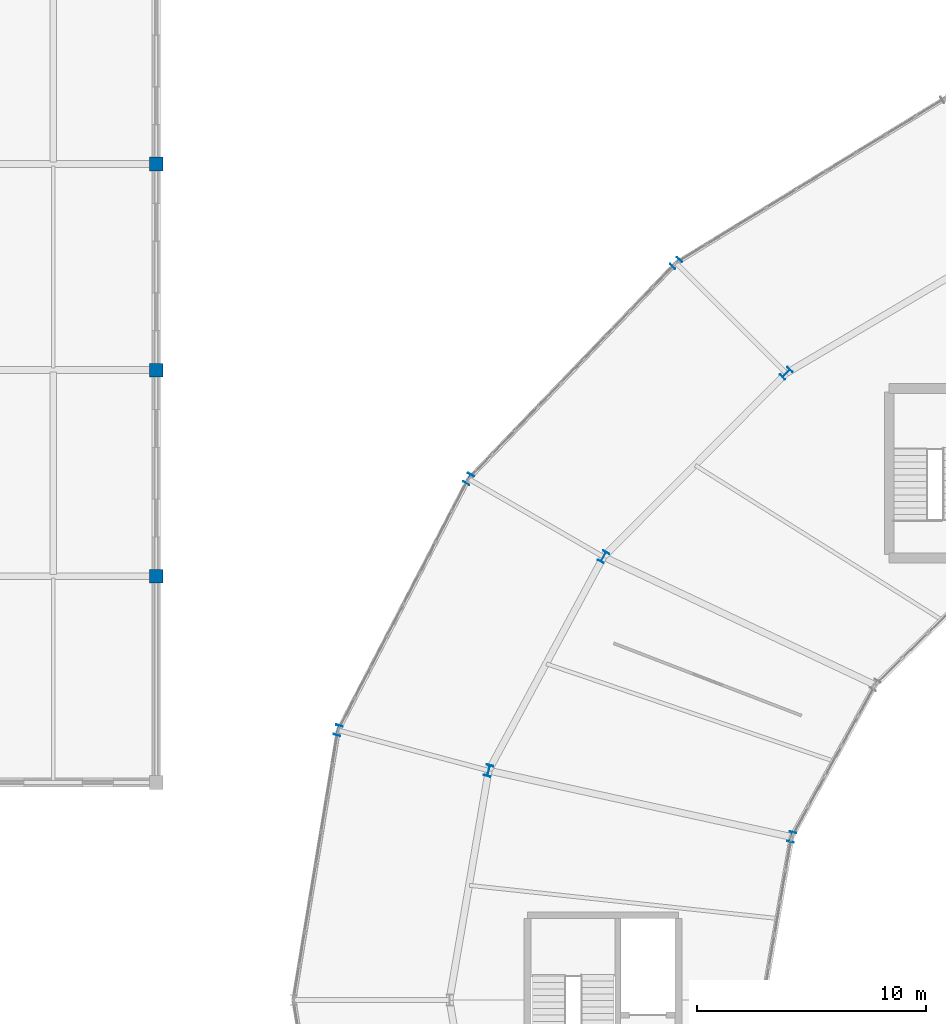
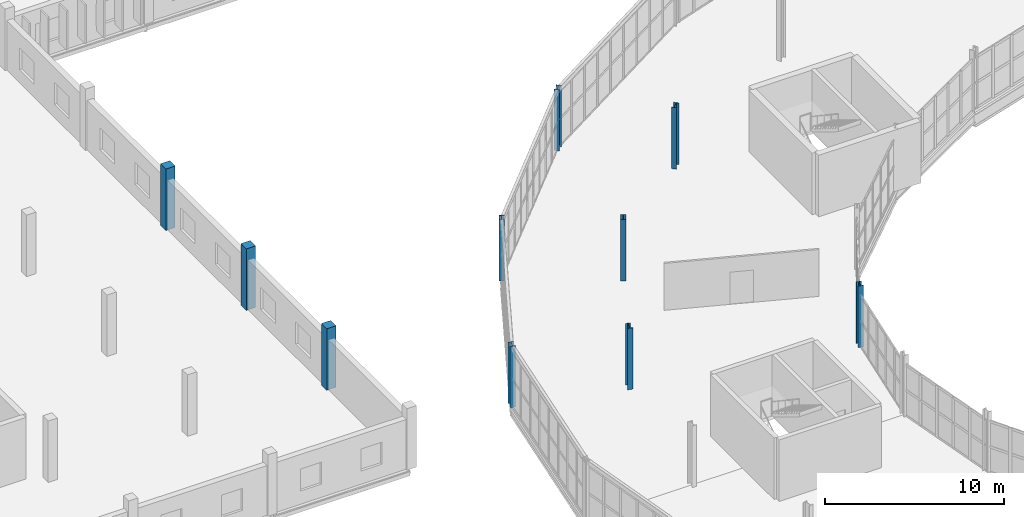
# One storey, part 12 of 161: 10 columns.
"""IFC4 building model written with IfcOpenShell, lengths in metres."""

from ifc_helpers import new_model, si_unit, direction, frame, origin, origin_2d, place, context, subcontext, project, spatial, rectangle, i_section, extrude, material, material_profile, profile_set, type_object, element, save


model = new_model("IFC4")

# Units and contexts
model_context = context("Model", 3, precision=1e-05, world=origin(), true_north=direction((0.0, 1.0)))
body_context = subcontext(model_context, "Body", "Model", "MODEL_VIEW")
ifc_project = project(units=[si_unit("LENGTHUNIT", "METRE"), si_unit("AREAUNIT", "SQUARE_METRE"), si_unit("VOLUMEUNIT", "CUBIC_METRE"), si_unit("PLANEANGLEUNIT", "RADIAN"), si_unit("MASSUNIT", "GRAM", prefix="KILO")], contexts=[model_context])

# Site, building, storey
site_placement = place(None, origin())
site = spatial("IfcSite", under=ifc_project, at=site_placement, CompositionType="ELEMENT")
building_placement = place(site_placement, origin())
building = spatial("IfcBuilding", under=site, at=building_placement, Name="Kildeholm Park Wholesale Market", CompositionType="ELEMENT")
storey_placement = place(building_placement, frame((0.0, 0.0, 5.39990234375)))
storey = spatial("IfcBuildingStorey", under=building, at=storey_placement, Name="L01", CompositionType="ELEMENT", Elevation=5.39990234375)

# Columns
ifc_material_1 = material(Name="Concrete C40/50", Category="concrete")
ifc_material_profile_1 = material_profile(ifc_material_1, rectangle(XDim=0.60009765625, YDim=0.60009765625, at=origin_2d()), Name="RC 600x600")
ifc_profile_set_1 = profile_set([ifc_material_profile_1], Name="Concrete C40/50")
column_type_1 = type_object("IfcColumnType", Name="Column C-R02 RC 600x600", PredefinedType="COLUMN", material=ifc_profile_set_1)
for number, where, z_axis, x_axis, name in (
    (1, (36.0, 108.0, 0.0), (0.0, 0.0, 1.0), (1.0, 0.0, 0.0), "Column V4-036-108 L01 COL-0441"),
    (2, (36.0, 117.0, 0.0), (0.0, 0.0, 1.0), (1.0, 0.0, 0.0), "Column V4-036-117 L01 COL-0444"),
    (3, (36.0, 126.0, 0.0), (0.0, 0.0, 1.0), (1.0, 0.0, 0.0), "Column V4-036-126 L01 COL-0447"),
):
    element("IfcColumn", number, at=place(storey_placement, frame(where, z_axis=z_axis, x_axis=x_axis)), inside=storey, type_object=column_type_1, Name=name, PredefinedType="COLUMN", context=body_context, shape_type="SweptSolid", body=[
        extrude(rectangle(XDim=0.60009765625, YDim=0.60009765625, at=origin_2d()), origin(), (0.0, 0.0, 1.0), 4.2001953125),
    ])
ifc_material_2 = material(Name="Steel S355", Category="steel")
ifc_material_profile_2 = material_profile(ifc_material_2, i_section(OverallWidth=0.300048828125, OverallDepth=0.449951171875, WebThickness=0.013916015625, FlangeThickness=0.02587890625, FilletRadius=0.027099609375, at=origin_2d()), Name="HEB 450")
ifc_profile_set_2 = profile_set([ifc_material_profile_2], Name="Steel S355")
column_type_2 = type_object("IfcColumnType", Name="Column C-S06 HEB 450", PredefinedType="COLUMN", material=ifc_profile_set_2)
for number, where, z_axis, x_axis, name in (
    (4, (58.695068359375, 121.673095703125, 0.0), (0.0, 0.0, 1.0), (-0.707106781187, 0.707106781187, 0.0), "Column V1-OT-09 L01 COL-0089"),
    (5, (49.636962890625, 112.25, 0.0), (0.0, 0.0, 1.0), (-0.866025403784, 0.5, 0.0), "Column V1-OT-10 L01 COL-0098"),
):
    element("IfcColumn", number, at=place(storey_placement, frame(where, z_axis=z_axis, x_axis=x_axis)), inside=storey, type_object=column_type_2, Name=name, PredefinedType="COLUMN", context=body_context, shape_type="SweptSolid", body=[
        extrude(i_section(OverallWidth=0.300048828125, OverallDepth=0.449951171875, WebThickness=0.013916015625, FlangeThickness=0.02587890625, FilletRadius=0.027099609375, at=origin_2d()), origin(), (0.0, 0.0, 1.0), 4.18017578125),
    ])
column_1_placement = place(storey_placement, frame((63.743896484375, 96.617919921875, 0.0), z_axis=(0.0, 0.0, 1.0), x_axis=(-0.965925826289, 0.258819045103, 0.0)))
element("IfcColumn", 6, at=column_1_placement, inside=storey, type_object=column_type_2, Name="Column V1-IN-11 L01 COL-0101", PredefinedType="COLUMN", context=body_context, shape_type="SweptSolid", body=[
    extrude(i_section(OverallWidth=0.300048828125, OverallDepth=0.449951171875, WebThickness=0.013916015625, FlangeThickness=0.02587890625, FilletRadius=0.027099609375, at=origin_2d()), origin(), (0.0, 0.0, 1.0), 4.2001953125),
])
column_2_placement = place(storey_placement, frame((43.94189453125, 101.27587890625, 0.0), z_axis=(0.0, 0.0, 1.0), x_axis=(-0.965925826289, 0.258819045103, 0.0)))
element("IfcColumn", 7, at=column_2_placement, inside=storey, type_object=column_type_2, Name="Column V1-OT-11 L01 COL-0107", PredefinedType="COLUMN", context=body_context, shape_type="SweptSolid", body=[
    extrude(i_section(OverallWidth=0.300048828125, OverallDepth=0.449951171875, WebThickness=0.013916015625, FlangeThickness=0.02587890625, FilletRadius=0.027099609375, at=origin_2d()), origin(), (0.0, 0.0, 1.0), 4.18017578125),
])
ifc_material_profile_3 = material_profile(ifc_material_2, i_section(OverallWidth=0.300048828125, OverallDepth=0.5, WebThickness=0.014404296875, FlangeThickness=0.028076171875, FilletRadius=0.027099609375, at=origin_2d()), Name="HEB 500")
ifc_profile_set_3 = profile_set([ifc_material_profile_3], Name="Steel S355")
column_type_3 = type_object("IfcColumnType", Name="Column C-S07 HEB 500", PredefinedType="COLUMN", material=ifc_profile_set_3)
for number, where, z_axis, x_axis, name in (
    (8, (63.5029296875, 116.864990234375, 0.0), (0.0, 0.0, 1.0), (-0.707106781187, 0.707106781187, 0.0), "Column V1-MD-09 L01 COL-0086"),
    (9, (55.52587890625, 108.85009765625, 0.0), (0.0, 0.0, 1.0), (-0.866025403784, 0.5, 0.0), "Column V1-MD-10 L01 COL-0095"),
    (10, (50.510986328125, 99.51611328125, 0.0), (0.0, 0.0, 1.0), (-0.965925826289, 0.258819045103, 0.0), "Column V1-MD-11 L01 COL-0104"),
):
    element("IfcColumn", number, at=place(storey_placement, frame(where, z_axis=z_axis, x_axis=x_axis)), inside=storey, type_object=column_type_3, Name=name, PredefinedType="COLUMN", context=body_context, shape_type="SweptSolid", body=[
        extrude(i_section(OverallWidth=0.300048828125, OverallDepth=0.5, WebThickness=0.014404296875, FlangeThickness=0.028076171875, FilletRadius=0.027099609375, at=origin_2d()), origin(), (0.0, 0.0, 1.0), 4.2001953125),
    ])

save(model, "model.ifc")
